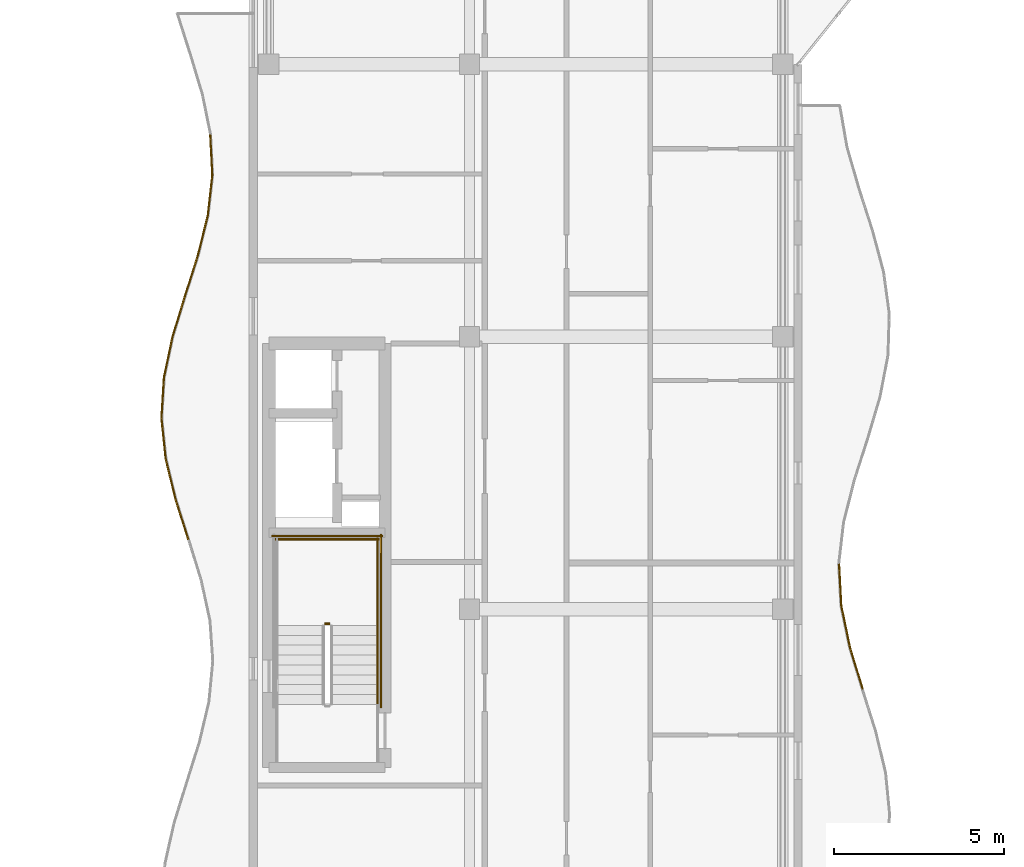
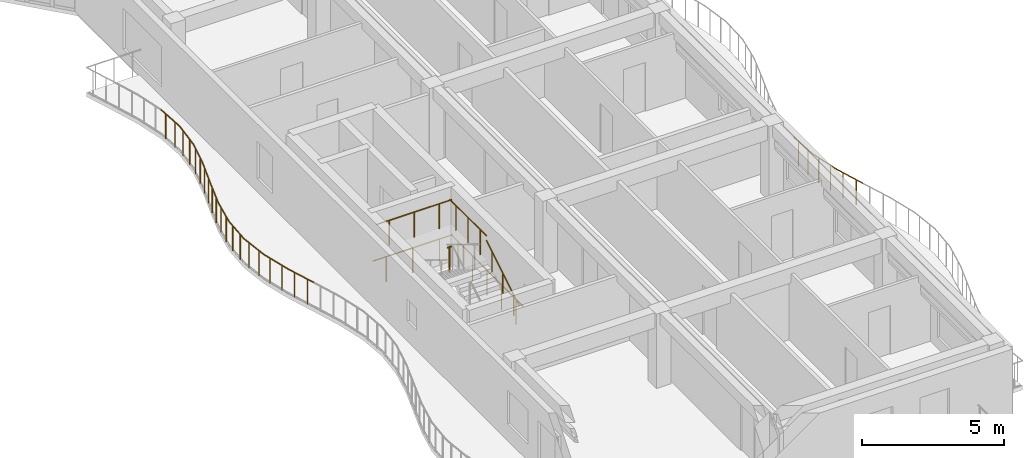
# One storey, part 54 of 76: 19 railings.
"""IFC4 building model written with IfcOpenShell, lengths in metres."""

from ifc_helpers import new_model, si_unit, direction, frame, origin, origin_2d, place, context, subcontext, project, spatial, circle, extrude, material, type_object, element, save


model = new_model("IFC4")

# Units and contexts
model_context = context("Model", 3, precision=1e-05, world=origin(), true_north=direction((0.0, 1.0)))
body_context = subcontext(model_context, "Body", "Model", "MODEL_VIEW")
ifc_project = project(units=[si_unit("LENGTHUNIT", "METRE"), si_unit("AREAUNIT", "SQUARE_METRE"), si_unit("VOLUMEUNIT", "CUBIC_METRE"), si_unit("PLANEANGLEUNIT", "RADIAN"), si_unit("MASSUNIT", "GRAM", prefix="KILO")], contexts=[model_context])

# Site, building, storey
site_placement = place(None, origin())
site = spatial("IfcSite", under=ifc_project, at=site_placement, CompositionType="ELEMENT")
building_placement = place(site_placement, origin())
building = spatial("IfcBuilding", under=site, at=building_placement, Name="Keldmere Railside Commons", CompositionType="ELEMENT")
storey_placement = place(building_placement, frame((0.0, 0.0, 13.760009765625)))
storey = spatial("IfcBuildingStorey", under=building, at=storey_placement, Name="L04", CompositionType="ELEMENT", Elevation=13.760009765625)

# Railings
ifc_material = material(Name="Steel F-24 (S235)", Category="steel")
railing_type_1 = type_object("IfcRailingType", Name="Balcony & Terrace Steel Balustrade 1100", PredefinedType="BALUSTRADE", material=ifc_material)
railing_1_placement = place(storey_placement, frame((65.897216796875, 69.64990234375, 0.0)))
element("IfcRailing", 1, at=railing_1_placement, inside=storey, type_object=railing_type_1, Name="GR-1 GRD-L04-1223", PredefinedType="BALUSTRADE", context=body_context, shape_type="SweptSolid", body=[
    extrude(circle(Radius=0.02392578125, at=origin_2d()), frame((0.0, 0.0, 1.076171875), z_axis=(-0.291647030078, 0.956526011066, 0.0), x_axis=(-0.956526011066, -0.291647030078, 0.0)), (0.0, 0.0, 1.0), 1.28076171875),
    extrude(circle(Radius=0.02099609375, at=origin_2d()), frame((-0.09326171875, 0.30615234375, 0.0)), (0.0, 0.0, 1.0), 1.048095703125),
    extrude(circle(Radius=0.02099609375, at=origin_2d()), frame((-0.2802734375, 0.9189453125, 0.0)), (0.0, 0.0, 1.0), 1.048095703125),
])
railing_2_placement = place(storey_placement, frame((65.523681640625, 70.875, 0.0)))
element("IfcRailing", 2, at=railing_2_placement, inside=storey, type_object=railing_type_1, Name="GR-1 GRD-L04-1224", PredefinedType="BALUSTRADE", context=body_context, shape_type="SweptSolid", body=[
    extrude(circle(Radius=0.02392578125, at=origin_2d()), frame((0.0, 0.0, 1.076171875), z_axis=(-0.203689345704, 0.979035571594, 0.0), x_axis=(-0.979035571594, -0.203689345704, 0.0)), (0.0, 0.0, 1.0), 1.251220703125),
    extrude(circle(Radius=0.02099609375, at=origin_2d()), frame((-0.063720703125, 0.30615234375, 0.0)), (0.0, 0.0, 1.0), 1.048095703125),
    extrude(circle(Radius=0.02099609375, at=origin_2d()), frame((-0.191162109375, 0.9189453125, 0.0)), (0.0, 0.0, 1.0), 1.048095703125),
])
railing_3_placement = place(storey_placement, frame((65.268798828125, 72.10009765625, 0.0)))
element("IfcRailing", 3, at=railing_3_placement, inside=storey, type_object=railing_type_1, Name="GR-1 GRD-L04-1225", PredefinedType="BALUSTRADE", context=body_context, shape_type="SweptSolid", body=[
    extrude(circle(Radius=0.02392578125, at=origin_2d()), frame((0.0, 0.0, 1.076171875), z_axis=(-0.052746880069, 0.99860791437, 0.0), x_axis=(-0.99860791437, -0.052746880069, 0.0)), (0.0, 0.0, 1.0), 1.2265625),
    extrude(circle(Radius=0.02099609375, at=origin_2d()), frame((-0.01611328125, 0.30615234375, 0.0)), (0.0, 0.0, 1.0), 1.048095703125),
    extrude(circle(Radius=0.02099609375, at=origin_2d()), frame((-0.048583984375, 0.918701171875, 0.0)), (0.0, 0.0, 1.0), 1.048095703125),
])
railing_4_placement = place(storey_placement, frame((46.09033203125, 74.04443359375, 0.0)))
element("IfcRailing", 4, at=railing_4_placement, inside=storey, type_object=railing_type_1, Name="GR-1 GRD-L04-1253", PredefinedType="BALUSTRADE", context=body_context, shape_type="SweptSolid", body=[
    extrude(circle(Radius=0.02392578125, at=origin_2d()), frame((0.0, 0.0, 1.076171875), z_axis=(-0.301862051418, 0.953351615048, 0.0), x_axis=(-0.953351615048, -0.301862051418, 0.0)), (0.0, 0.0, 1.0), 1.2470703125),
    extrude(circle(Radius=0.02099609375, at=origin_2d()), frame((-0.09423828125, 0.29736328125, 0.0)), (0.0, 0.0, 1.0), 1.048095703125),
    extrude(circle(Radius=0.02099609375, at=origin_2d()), frame((-0.2822265625, 0.8916015625, 0.0)), (0.0, 0.0, 1.0), 1.048095703125),
])
railing_5_placement = place(storey_placement, frame((45.7138671875, 75.2333984375, 0.0)))
element("IfcRailing", 5, at=railing_5_placement, inside=storey, type_object=railing_type_1, Name="GR-1 GRD-L04-1254", PredefinedType="BALUSTRADE", context=body_context, shape_type="SweptSolid", body=[
    extrude(circle(Radius=0.02392578125, at=origin_2d()), frame((0.0, 0.0, 1.076171875), z_axis=(-0.235719987689, 0.971821016136, 0.0), x_axis=(-0.971821016136, -0.235719987689, 0.0)), (0.0, 0.0, 1.0), 1.22314453125),
    extrude(circle(Radius=0.02099609375, at=origin_2d()), frame((-0.072021484375, 0.297119140625, 0.0)), (0.0, 0.0, 1.0), 1.048095703125),
    extrude(circle(Radius=0.02099609375, at=origin_2d()), frame((-0.21630859375, 0.8916015625, 0.0)), (0.0, 0.0, 1.0), 1.048095703125),
])
railing_6_placement = place(storey_placement, frame((45.425537109375, 76.422119140625, 0.0)))
element("IfcRailing", 6, at=railing_6_placement, inside=storey, type_object=railing_type_1, Name="GR-1 GRD-L04-1255", PredefinedType="BALUSTRADE", context=body_context, shape_type="SweptSolid", body=[
    extrude(circle(Radius=0.02392578125, at=origin_2d()), frame((0.0, 0.0, 1.076171875), z_axis=(-0.103547154952, 0.994624545596, 0.0), x_axis=(-0.994624545596, -0.103547154952, 0.0)), (0.0, 0.0, 1.0), 1.1953125),
    extrude(circle(Radius=0.02099609375, at=origin_2d()), frame((-0.031005859375, 0.29736328125, 0.0)), (0.0, 0.0, 1.0), 1.048095703125),
    extrude(circle(Radius=0.02099609375, at=origin_2d()), frame((-0.0927734375, 0.8916015625, 0.0)), (0.0, 0.0, 1.0), 1.048095703125),
])
railing_7_placement = place(storey_placement, frame((45.3017578125, 77.611083984375, 0.0)))
element("IfcRailing", 7, at=railing_7_placement, inside=storey, type_object=railing_type_1, Name="GR-1 GRD-L04-1256", PredefinedType="BALUSTRADE", context=body_context, shape_type="SweptSolid", body=[
    extrude(circle(Radius=0.02392578125, at=origin_2d()), frame((0.0, 0.0, 1.076171875), z_axis=(0.061280913152, 0.998120558692, 0.0), x_axis=(-0.998120558692, 0.061280913152, 0.0)), (0.0, 0.0, 1.0), 1.191162109375),
    extrude(circle(Radius=0.02099609375, at=origin_2d()), frame((0.018310546875, 0.29736328125, 0.0)), (0.0, 0.0, 1.0), 1.048095703125),
    extrude(circle(Radius=0.02099609375, at=origin_2d()), frame((0.0546875, 0.8916015625, 0.0)), (0.0, 0.0, 1.0), 1.048095703125),
])
railing_8_placement = place(storey_placement, frame((45.374755859375, 78.800048828125, 0.0)))
element("IfcRailing", 8, at=railing_8_placement, inside=storey, type_object=railing_type_1, Name="GR-1 GRD-L04-1257", PredefinedType="BALUSTRADE", context=body_context, shape_type="SweptSolid", body=[
    extrude(circle(Radius=0.02392578125, at=origin_2d()), frame((0.0, 0.0, 1.076171875), z_axis=(0.206344624764, 0.978479379359, 0.0), x_axis=(-0.978479379359, 0.206344624764, 0.0)), (0.0, 0.0, 1.0), 1.215087890625),
    extrude(circle(Radius=0.02099609375, at=origin_2d()), frame((0.062744140625, 0.29736328125, 0.0)), (0.0, 0.0, 1.0), 1.048095703125),
    extrude(circle(Radius=0.02099609375, at=origin_2d()), frame((0.18798828125, 0.8916015625, 0.0)), (0.0, 0.0, 1.0), 1.048095703125),
])
railing_9_placement = place(storey_placement, frame((45.62548828125, 79.989013671875, 0.0)))
element("IfcRailing", 9, at=railing_9_placement, inside=storey, type_object=railing_type_1, Name="GR-1 GRD-L04-1258", PredefinedType="BALUSTRADE", context=body_context, shape_type="SweptSolid", body=[
    extrude(circle(Radius=0.02392578125, at=origin_2d()), frame((0.0, 0.0, 1.076171875), z_axis=(0.291544652842, 0.956557220139, 0.0), x_axis=(-0.956557220139, 0.291544652842, 0.0)), (0.0, 0.0, 1.0), 1.24267578125),
    extrude(circle(Radius=0.02099609375, at=origin_2d()), frame((0.090576171875, 0.297119140625, 0.0)), (0.0, 0.0, 1.0), 1.048095703125),
    extrude(circle(Radius=0.02099609375, at=origin_2d()), frame((0.271728515625, 0.8916015625, 0.0)), (0.0, 0.0, 1.0), 1.048095703125),
])
railing_10_placement = place(storey_placement, frame((45.98779296875, 81.177734375, 0.0)))
element("IfcRailing", 10, at=railing_10_placement, inside=storey, type_object=railing_type_1, Name="GR-1 GRD-L04-1259", PredefinedType="BALUSTRADE", context=body_context, shape_type="SweptSolid", body=[
    extrude(circle(Radius=0.02392578125, at=origin_2d()), frame((0.0, 0.0, 1.076171875), z_axis=(0.303639695382, 0.95278693074, 0.0), x_axis=(-0.95278693074, 0.303639695382, 0.0)), (0.0, 0.0, 1.0), 1.247802734375),
    extrude(circle(Radius=0.02099609375, at=origin_2d()), frame((0.0947265625, 0.29736328125, 0.0)), (0.0, 0.0, 1.0), 1.048095703125),
    extrude(circle(Radius=0.02099609375, at=origin_2d()), frame((0.2841796875, 0.8916015625, 0.0)), (0.0, 0.0, 1.0), 1.048095703125),
])
railing_11_placement = place(storey_placement, frame((46.36669921875, 82.36669921875, 0.0)))
element("IfcRailing", 11, at=railing_11_placement, inside=storey, type_object=railing_type_1, Name="GR-1 GRD-L04-1260", PredefinedType="BALUSTRADE", context=body_context, shape_type="SweptSolid", body=[
    extrude(circle(Radius=0.02392578125, at=origin_2d()), frame((0.0, 0.0, 1.076171875), z_axis=(0.241128688378, 0.970493150744, 0.0), x_axis=(-0.970493150744, 0.241128688378, 0.0)), (0.0, 0.0, 1.0), 1.22509765625),
    extrude(circle(Radius=0.02099609375, at=origin_2d()), frame((0.07373046875, 0.29736328125, 0.0)), (0.0, 0.0, 1.0), 1.048095703125),
    extrude(circle(Radius=0.02099609375, at=origin_2d()), frame((0.2216796875, 0.8916015625, 0.0)), (0.0, 0.0, 1.0), 1.048095703125),
])
railing_12_placement = place(storey_placement, frame((46.662109375, 83.5556640625, 0.0)))
element("IfcRailing", 12, at=railing_12_placement, inside=storey, type_object=railing_type_1, Name="GR-1 GRD-L04-1261", PredefinedType="BALUSTRADE", context=body_context, shape_type="SweptSolid", body=[
    extrude(circle(Radius=0.02392578125, at=origin_2d()), frame((0.0, 0.0, 1.076171875), z_axis=(0.112245690367, 0.993680484358, 0.0), x_axis=(-0.993680484358, 0.112245690367, 0.0)), (0.0, 0.0, 1.0), 1.1962890625),
    extrude(circle(Radius=0.02099609375, at=origin_2d()), frame((0.03369140625, 0.297119140625, 0.0)), (0.0, 0.0, 1.0), 1.048095703125),
    extrude(circle(Radius=0.02099609375, at=origin_2d()), frame((0.1005859375, 0.8916015625, 0.0)), (0.0, 0.0, 1.0), 1.048095703125),
])
railing_13_placement = place(storey_placement, frame((46.79638671875, 84.744384765625, 0.0)))
element("IfcRailing", 13, at=railing_13_placement, inside=storey, type_object=railing_type_1, Name="GR-1 GRD-L04-1262", PredefinedType="BALUSTRADE", context=body_context, shape_type="SweptSolid", body=[
    extrude(circle(Radius=0.02392578125, at=origin_2d()), frame((0.0, 0.0, 1.076171875), z_axis=(-0.052085263026, 0.998642641477, 0.0), x_axis=(-0.998642641477, -0.052085263026, 0.0)), (0.0, 0.0, 1.0), 1.190673828125),
    extrude(circle(Radius=0.02099609375, at=origin_2d()), frame((-0.015625, 0.29736328125, 0.0)), (0.0, 0.0, 1.0), 1.048095703125),
    extrude(circle(Radius=0.02099609375, at=origin_2d()), frame((-0.04638671875, 0.8916015625, 0.0)), (0.0, 0.0, 1.0), 1.048095703125),
])
railing_type_2 = type_object("IfcRailingType", Name="Stair Well Steel Guardrail 1100", PredefinedType="BALUSTRADE", material=ifc_material)
railing_14_placement = place(storey_placement, frame((50.25, 71.570068359375, 1.60009765625)))
element("IfcRailing", 14, at=railing_14_placement, inside=storey, type_object=railing_type_2, Name="L04 ST-C1 stair guard 2", PredefinedType="BALUSTRADE", context=body_context, shape_type="SweptSolid", body=[
    extrude(circle(Radius=0.02392578125, at=origin_2d()), frame((0.0, 0.0, 1.076171875), z_axis=(-1.0, 0.0, 0.0), x_axis=(0.0, -1.0, 0.0)), (0.0, 0.0, 1.0), 0.14990234375),
    extrude(circle(Radius=0.02099609375, at=origin_2d()), frame((-0.074951171875, 0.0, 0.0)), (0.0, 0.0, 1.0), 1.048095703125),
])
railing_15_placement = place(storey_placement, frame((51.64990234375, 71.52001953125, 1.60009765625)))
element("IfcRailing", 15, at=railing_15_placement, inside=storey, type_object=railing_type_2, Name="L04 ST-C1 stair guard 3", PredefinedType="BALUSTRADE", context=body_context, shape_type="SweptSolid", body=[
    extrude(circle(Radius=0.02392578125, at=origin_2d()), frame((0.0, 0.0, 1.076171875), z_axis=(0.0, 1.0, 0.0), x_axis=(-1.0, 0.0, 0.0)), (0.0, 0.0, 1.0), 2.580078125),
    extrude(circle(Radius=0.02099609375, at=origin_2d()), frame((0.0, 0.429931640625, 0.0)), (0.0, 0.0, 1.0), 1.048095703125),
    extrude(circle(Radius=0.02099609375, at=origin_2d()), frame((0.0, 1.2900390625, 0.0)), (0.0, 0.0, 1.0), 1.048095703125),
    extrude(circle(Radius=0.02099609375, at=origin_2d()), frame((0.0, 2.150146484375, 0.0)), (0.0, 0.0, 1.0), 1.048095703125),
])
railing_16_placement = place(storey_placement, frame((51.699951171875, 74.050048828125, 1.60009765625)))
element("IfcRailing", 16, at=railing_16_placement, inside=storey, type_object=railing_type_2, Name="L04 ST-C1 stair guard 5", PredefinedType="BALUSTRADE", context=body_context, shape_type="SweptSolid", body=[
    extrude(circle(Radius=0.02392578125, at=origin_2d()), frame((0.0, 0.0, 1.076171875), z_axis=(-1.0, 0.0, 0.0), x_axis=(0.0, -1.0, 0.0)), (0.0, 0.0, 1.0), 3.050048828125),
    extrude(circle(Radius=0.02099609375, at=origin_2d()), frame((-0.50830078125, 0.0, 0.0)), (0.0, 0.0, 1.0), 1.048095703125),
    extrude(circle(Radius=0.02099609375, at=origin_2d()), frame((-1.52490234375, 0.0, 0.0)), (0.0, 0.0, 1.0), 1.048095703125),
    extrude(circle(Radius=0.02099609375, at=origin_2d()), frame((-2.541748046875, 0.0, 0.0)), (0.0, 0.0, 1.0), 1.048095703125),
])
railing_17_placement = place(storey_placement, frame((51.75, 69.10009765625, 0.0)))
element("IfcRailing", 17, at=railing_17_placement, inside=storey, type_object=railing_type_2, Name="L04 ST-C1 stair guard 10", PredefinedType="BALUSTRADE", context=body_context, shape_type="SweptSolid", body=[
    extrude(circle(Radius=0.02392578125, at=origin_2d()), frame((0.0, 0.0, 1.076171875), z_axis=(0.0, 1.0, 0.0), x_axis=(-1.0, 0.0, 0.0)), (0.0, 0.0, 1.0), 5.099853515625),
    extrude(circle(Radius=0.02099609375, at=origin_2d()), frame((0.0, 0.510009765625, 0.0)), (0.0, 0.0, 1.0), 1.048095703125),
    extrude(circle(Radius=0.02099609375, at=origin_2d()), frame((0.0, 1.530029296875, 0.0)), (0.0, 0.0, 1.0), 1.048095703125),
    extrude(circle(Radius=0.02099609375, at=origin_2d()), frame((0.0, 2.5498046875, 0.0)), (0.0, 0.0, 1.0), 1.048095703125),
    extrude(circle(Radius=0.02099609375, at=origin_2d()), frame((0.0, 3.56982421875, 0.0)), (0.0, 0.0, 1.0), 1.048095703125),
    extrude(circle(Radius=0.02099609375, at=origin_2d()), frame((0.0, 4.58984375, 0.0)), (0.0, 0.0, 1.0), 1.048095703125),
])
railing_18_placement = place(storey_placement, frame((51.800048828125, 74.14990234375, 0.0)))
element("IfcRailing", 18, at=railing_18_placement, inside=storey, type_object=railing_type_2, Name="L04 ST-C1 stair guard 12", PredefinedType="BALUSTRADE", context=body_context, shape_type="SweptSolid", body=[
    extrude(circle(Radius=0.02392578125, at=origin_2d()), frame((0.0, 0.0, 1.076171875), z_axis=(-1.0, 0.0, 0.0), x_axis=(0.0, -1.0, 0.0)), (0.0, 0.0, 1.0), 3.25),
    extrude(circle(Radius=0.02099609375, at=origin_2d()), frame((-0.541748046875, 0.0, 0.0)), (0.0, 0.0, 1.0), 1.048095703125),
    extrude(circle(Radius=0.02099609375, at=origin_2d()), frame((-1.625, 0.0, 0.0)), (0.0, 0.0, 1.0), 1.048095703125),
    extrude(circle(Radius=0.02099609375, at=origin_2d()), frame((-2.708251953125, 0.0, 0.0)), (0.0, 0.0, 1.0), 1.048095703125),
])
railing_type_3 = type_object("IfcRailingType", Name="Wall-Mounted Tubular Steel Handrail 900", PredefinedType="HANDRAIL", material=ifc_material)
railing_19_placement = place(storey_placement, frame((51.64990234375, 69.199951171875, 0.177734375)))
element("IfcRailing", 19, at=railing_19_placement, inside=storey, type_object=railing_type_3, Name="L04 ST-C1 stair handrail 1", PredefinedType="HANDRAIL", context=body_context, shape_type="SweptSolid", body=[
    extrude(circle(Radius=0.02392578125, at=origin_2d()), frame((0.0, 0.0, 0.8759765625), z_axis=(0.0, 0.852538067394, 0.522665135287), x_axis=(-1.0, 0.0, 0.0)), (0.0, 0.0, 1.0), 2.721435546875),
    extrude(circle(Radius=0.02099609375, at=origin_2d()), frame((0.0, 0.38671875, 0.237060546875)), (0.0, 0.0, 1.0), 0.847900390625),
    extrude(circle(Radius=0.02099609375, at=origin_2d()), frame((0.0, 1.16015625, 0.711181640625)), (0.0, 0.0, 1.0), 0.847900390625),
    extrude(circle(Radius=0.02099609375, at=origin_2d()), frame((0.0, 1.933349609375, 1.185302734375)), (0.0, 0.0, 1.0), 0.847900390625),
])

save(model, "model.ifc")
